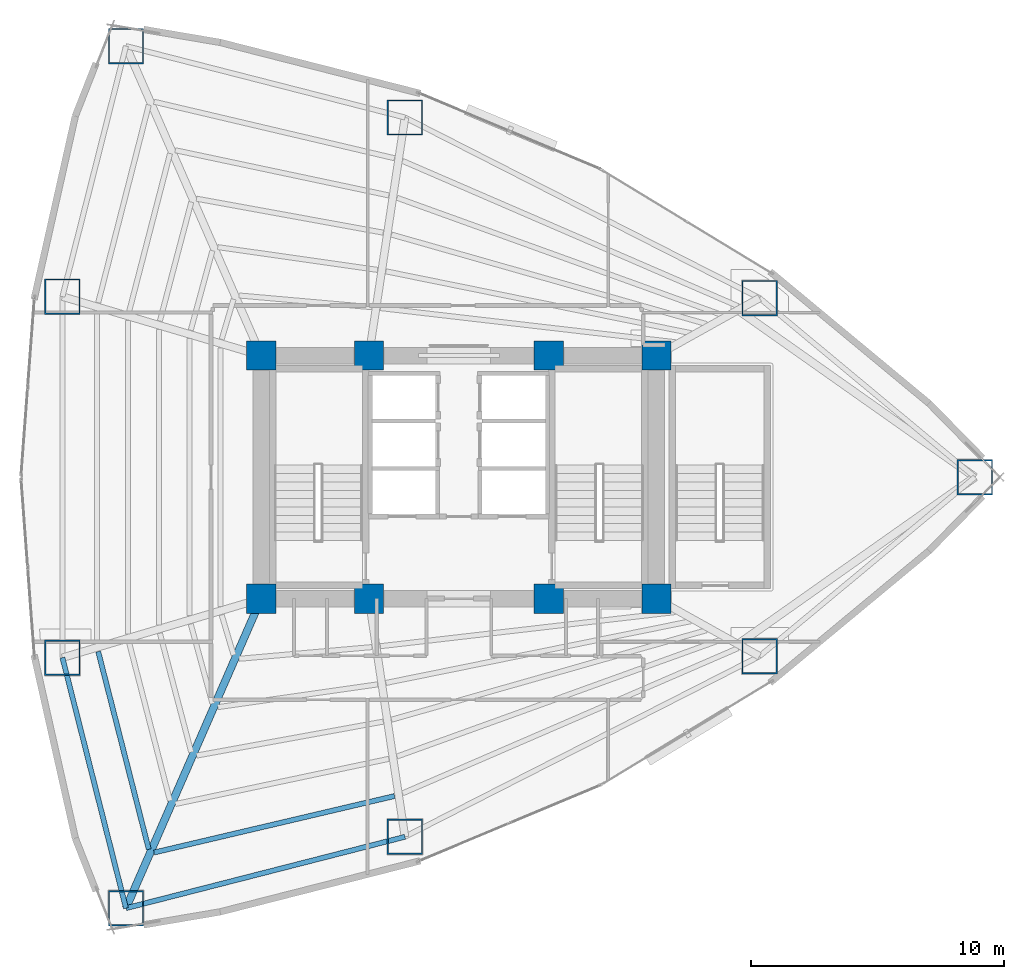
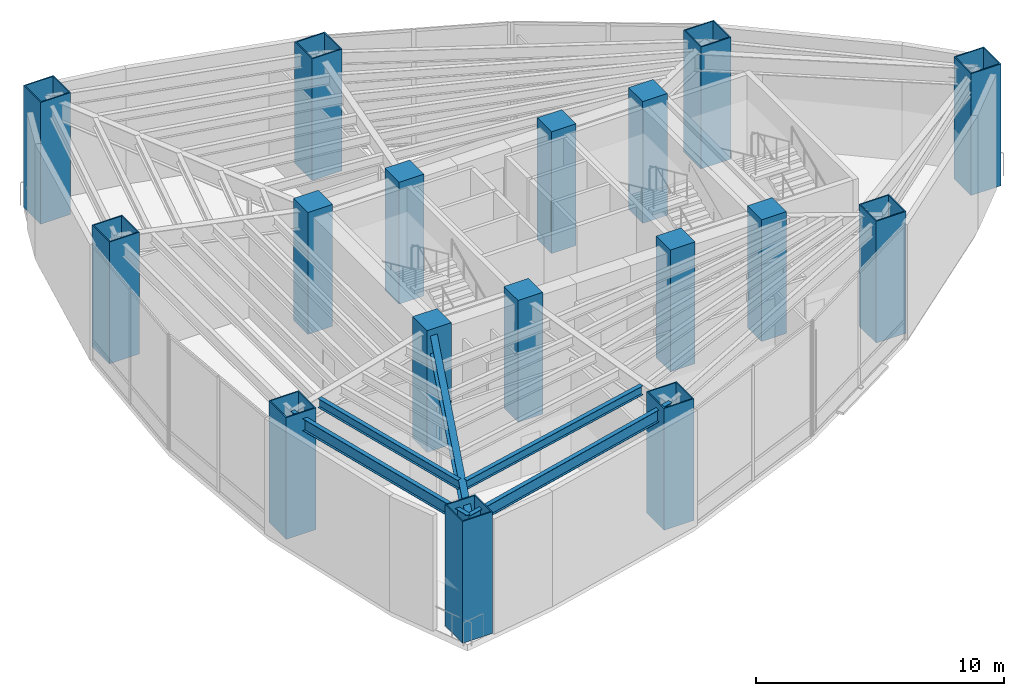
# One storey, part 1 of 19: 17 columns, 5 beams.
"""IFC4 building model written with IfcOpenShell, lengths in metres."""

from ifc_helpers import new_model, si_unit, direction, frame, origin, origin_2d, place, context, subcontext, project, spatial, rectangle, hollow_rectangle, i_section, extrude, material, material_profile, profile_set, type_object, element, save


model = new_model("IFC4")

# Units and contexts
model_context = context("Model", 3, precision=1e-05, world=origin(), true_north=direction((0.0, 1.0)))
body_context = subcontext(model_context, "Body", "Model", "MODEL_VIEW")
ifc_project = project(units=[si_unit("LENGTHUNIT", "METRE"), si_unit("AREAUNIT", "SQUARE_METRE"), si_unit("VOLUMEUNIT", "CUBIC_METRE"), si_unit("PLANEANGLEUNIT", "RADIAN"), si_unit("MASSUNIT", "GRAM", prefix="KILO")], contexts=[model_context])

# Site, building, storey
site_placement = place(None, origin())
site = spatial("IfcSite", under=ifc_project, at=site_placement, CompositionType="ELEMENT")
building_placement = place(site_placement, origin())
building = spatial("IfcBuilding", under=site, at=building_placement, Name="Menara Vayukalpa", CompositionType="ELEMENT")
storey_placement = place(building_placement, frame((0.0, 0.0, 12.0)))
storey = spatial("IfcBuildingStorey", under=building, at=storey_placement, Name="L02", CompositionType="ELEMENT", Elevation=12.0)

# Columns
ifc_material_1 = material(Name="Concrete C80/95", Category="concrete")
ifc_material_profile_1 = material_profile(ifc_material_1, rectangle(XDim=1.14990234375, YDim=1.14990234375, at=origin_2d()), Name="RC 1150x1150")
ifc_profile_set_1 = profile_set([ifc_material_profile_1], Name="Concrete C80/95")
column_type_1 = type_object("IfcColumnType", Name="COL-CC1", PredefinedType="COLUMN", material=ifc_profile_set_1)
for number, where, z_axis, x_axis, name in (
    (1, (17.800048828125, 17.199951171875, 0.0), (0.0, 0.0, 1.0), (1.0, 0.0, 0.0), "L02 Core Pilaster Column CC1"),
    (2, (22.050048828125, 17.199951171875, 0.0), (0.0, 0.0, 1.0), (1.0, 0.0, 0.0), "L02 Core Pilaster Column CC2"),
    (3, (29.14990234375, 17.199951171875, 0.0), (0.0, 0.0, 1.0), (1.0, 0.0, 0.0), "L02 Core Pilaster Column CC3"),
    (4, (33.39990234375, 17.199951171875, 0.0), (0.0, 0.0, 1.0), (1.0, 0.0, 0.0), "L02 Core Pilaster Column CC4"),
    (5, (17.800048828125, 26.800048828125, 0.0), (0.0, 0.0, 1.0), (1.0, 0.0, 0.0), "L02 Core Pilaster Column CC5"),
    (6, (22.050048828125, 26.800048828125, 0.0), (0.0, 0.0, 1.0), (1.0, 0.0, 0.0), "L02 Core Pilaster Column CC6"),
    (7, (29.14990234375, 26.800048828125, 0.0), (0.0, 0.0, 1.0), (1.0, 0.0, 0.0), "L02 Core Pilaster Column CC7"),
    (8, (33.39990234375, 26.800048828125, 0.0), (0.0, 0.0, 1.0), (1.0, 0.0, 0.0), "L02 Core Pilaster Column CC8"),
):
    element("IfcColumn", number, at=place(storey_placement, frame(where, z_axis=z_axis, x_axis=x_axis)), inside=storey, type_object=column_type_1, Name=name, PredefinedType="COLUMN", context=body_context, shape_type="SweptSolid", body=[
        extrude(rectangle(XDim=1.14990234375, YDim=1.14990234375, at=origin_2d()), origin(), (0.0, 0.0, 1.0), 6.0),
    ])
ifc_material_2 = material(Name="Steel S460", Category="steel")
ifc_material_profile_2 = material_profile(ifc_material_2, hollow_rectangle(XDim=1.39990234375, YDim=1.39990234375, WallThickness=0.054931640625, at=origin_2d()), Name="BOX 1400x1400x55")
ifc_profile_set_2 = profile_set([ifc_material_profile_2], Name="Steel S460")
column_type_2 = type_object("IfcColumnType", Name="COL-MC1", PredefinedType="COLUMN", material=ifc_profile_set_2)
for number, where, z_axis, x_axis, name in (
    (9, (45.979248046875, 22.0, 0.0), (0.0, 0.0, 1.0), (1.0, 0.0, 0.0), "L02 Perimeter Mega Column P01"),
    (10, (37.47412109375, 29.07080078125, 0.0), (0.0, 0.0, 1.0), (1.0, 0.0, 0.0), "L02 Perimeter Mega Column P02"),
    (11, (23.4755859375, 36.19970703125, 0.0), (0.0, 0.0, 1.0), (1.0, 0.0, 0.0), "L02 Perimeter Mega Column P03"),
    (12, (12.46044921875, 39.01904296875, 0.0), (0.0, 0.0, 1.0), (1.0, 0.0, 0.0), "L02 Perimeter Mega Column P04"),
    (13, (9.951904296875, 29.12890625, 0.0), (0.0, 0.0, 1.0), (1.0, 0.0, 0.0), "L02 Perimeter Mega Column P05"),
    (14, (9.951904296875, 14.87109375, 0.0), (0.0, 0.0, 1.0), (1.0, 0.0, 0.0), "L02 Perimeter Mega Column P06"),
    (15, (12.46044921875, 4.98095703125, 0.0), (0.0, 0.0, 1.0), (1.0, 0.0, 0.0), "L02 Perimeter Mega Column P07"),
    (16, (23.4755859375, 7.80029296875, 0.0), (0.0, 0.0, 1.0), (1.0, 0.0, 0.0), "L02 Perimeter Mega Column P08"),
    (17, (37.47412109375, 14.92919921875, 0.0), (0.0, 0.0, 1.0), (1.0, 0.0, 0.0), "L02 Perimeter Mega Column P09"),
):
    element("IfcColumn", number, at=place(storey_placement, frame(where, z_axis=z_axis, x_axis=x_axis)), inside=storey, type_object=column_type_2, Name=name, PredefinedType="COLUMN", context=body_context, shape_type="SweptSolid", body=[
        extrude(hollow_rectangle(XDim=1.39990234375, YDim=1.39990234375, WallThickness=0.054931640625, at=origin_2d()), origin(), (0.0, 0.0, 1.0), 6.0),
    ])

# Beams
ifc_material_3 = material(Name="Steel S355", Category="steel")
ifc_material_profile_3 = material_profile(ifc_material_3, i_section(OverallWidth=0.300048828125, OverallDepth=0.89990234375, WebThickness=0.01611328125, FlangeThickness=0.028076171875, at=origin_2d()), Name="WF 900x300x16x28")
ifc_profile_set_3 = profile_set([ifc_material_profile_3], Name="Steel S355")
beam_type_1 = type_object("IfcBeamType", Name="BM-PG1", PredefinedType="BEAM", material=ifc_profile_set_3)
beam_1_placement = place(storey_placement, frame((17.699951171875, 16.970947265625, 5.22998046875), z_axis=(-0.400426299501, -0.916328968585, 0.0), x_axis=(0.916328968585, -0.400426299501, 0.0)))
element("IfcBeam", 18, at=beam_1_placement, inside=storey, type_object=beam_type_1, Name="L02 Primary Radial Girder RG07", PredefinedType="BEAM", context=body_context, shape_type="SweptSolid", body=[
    extrude(i_section(OverallWidth=0.300048828125, OverallDepth=0.89990234375, WebThickness=0.01611328125, FlangeThickness=0.028076171875, at=origin_2d()), origin(), (0.0, 0.0, 1.0), 13.084716796875),
])
ifc_material_4 = material(Name="Steel S355", Category="steel")
ifc_material_profile_4 = material_profile(ifc_material_4, i_section(OverallWidth=0.199951171875, OverallDepth=0.449951171875, WebThickness=0.009033203125, FlangeThickness=0.013916015625, at=origin_2d()), Name="WF 450x200x9x14")
ifc_profile_set_4 = profile_set([ifc_material_profile_4], Name="Steel S355")
beam_type_2 = type_object("IfcBeamType", Name="BM-SJ1", PredefinedType="JOIST", material=ifc_profile_set_4)
beam_2_placement = place(storey_placement, frame((11.363525390625, 15.11279296875, 5.455078125), z_axis=(0.247855728428, -0.9687969539, 0.0), x_axis=(0.9687969539, 0.247855728428, 0.0)))
element("IfcBeam", 19, at=beam_2_placement, inside=storey, type_object=beam_type_2, Name="L02 Secondary Floor Joist SJ06-5", PredefinedType="JOIST", context=body_context, shape_type="SweptSolid", body=[
    extrude(i_section(OverallWidth=0.199951171875, OverallDepth=0.449951171875, WebThickness=0.009033203125, FlangeThickness=0.013916015625, at=origin_2d()), origin(), (0.0, 0.0, 1.0), 8.060302734375),
])
beam_3_placement = place(storey_placement, frame((13.569091796875, 7.177978515625, 5.455078125), z_axis=(0.973474607698, 0.228795078983, 0.0), x_axis=(-0.228795078983, 0.973474607698, 0.0)))
element("IfcBeam", 20, at=beam_3_placement, inside=storey, type_object=beam_type_2, Name="L02 Secondary Floor Joist SJ07-5", PredefinedType="JOIST", context=body_context, shape_type="SweptSolid", body=[
    extrude(i_section(OverallWidth=0.199951171875, OverallDepth=0.449951171875, WebThickness=0.009033203125, FlangeThickness=0.013916015625, at=origin_2d()), origin(), (0.0, 0.0, 1.0), 9.749755859375),
])
ifc_material_5 = material(Name="Steel S355", Category="steel")
ifc_material_profile_5 = material_profile(ifc_material_5, i_section(OverallWidth=0.199951171875, OverallDepth=0.60009765625, WebThickness=0.010986328125, FlangeThickness=0.01708984375, at=origin_2d()), Name="WF 600x200x11x17")
ifc_profile_set_5 = profile_set([ifc_material_profile_5], Name="Steel S355")
beam_type_3 = type_object("IfcBeamType", Name="BM-SP1", PredefinedType="SPANDREL", material=ifc_profile_set_5)
beam_4_placement = place(storey_placement, frame((9.951904296875, 14.87109375, 5.3798828125), z_axis=(0.24585591488, -0.969306385576, 0.0), x_axis=(0.969306385576, 0.24585591488, 0.0)))
element("IfcBeam", 21, at=beam_4_placement, inside=storey, type_object=beam_type_3, Name="L02 Perimeter Spandrel Beam SP06", PredefinedType="SPANDREL", context=body_context, shape_type="SweptSolid", body=[
    extrude(i_section(OverallWidth=0.199951171875, OverallDepth=0.60009765625, WebThickness=0.010986328125, FlangeThickness=0.01708984375, at=origin_2d()), origin(), (0.0, 0.0, 1.0), 10.203369140625),
])
beam_5_placement = place(storey_placement, frame((12.46044921875, 4.98095703125, 5.3798828125), z_axis=(0.968770804637, 0.247957915953, 0.0), x_axis=(-0.247957915953, 0.968770804637, 0.0)))
element("IfcBeam", 22, at=beam_5_placement, inside=storey, type_object=beam_type_3, Name="L02 Perimeter Spandrel Beam SP07", PredefinedType="SPANDREL", context=body_context, shape_type="SweptSolid", body=[
    extrude(i_section(OverallWidth=0.199951171875, OverallDepth=0.60009765625, WebThickness=0.010986328125, FlangeThickness=0.01708984375, at=origin_2d()), origin(), (0.0, 0.0, 1.0), 11.3701171875),
])

save(model, "model.ifc")
